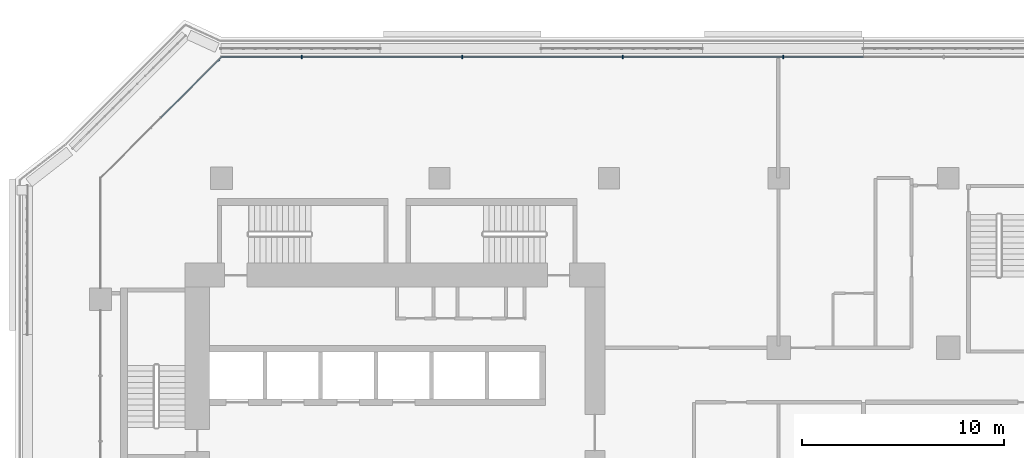
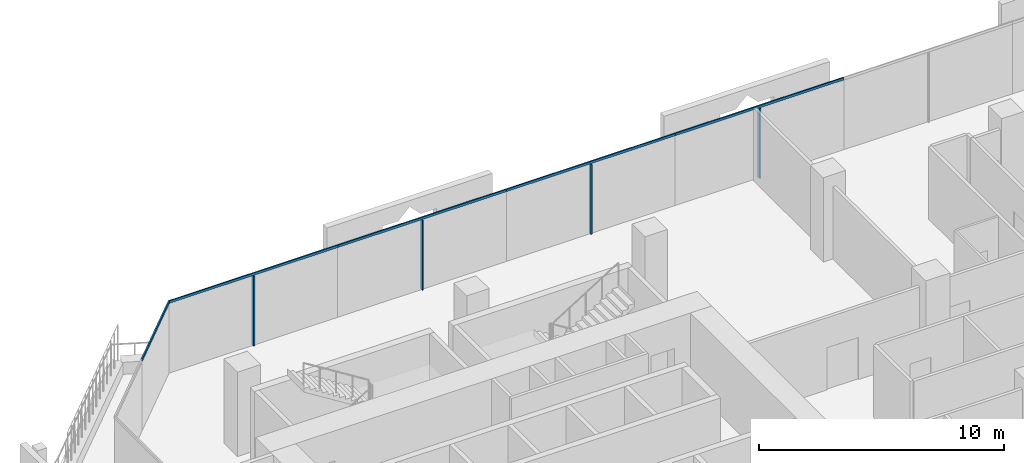
# One storey, part 8 of 25: 9 members, 2 elements without a shape of their own.
"""IFC4 building model written with IfcOpenShell, lengths in metres."""

from ifc_helpers import new_model, si_unit, direction, frame, origin, origin_2d, place, context, subcontext, project, spatial, rectangle, extrude, material, layer, layer_set, material_profile, profile_set, type_object, element, aggregate, save


model = new_model("IFC4")

# Units and contexts
model_context = context("Model", 3, precision=1e-05, world=origin(), true_north=direction((0.0, 1.0)))
body_context = subcontext(model_context, "Body", "Model", "MODEL_VIEW")
ifc_project = project(units=[si_unit("LENGTHUNIT", "METRE"), si_unit("AREAUNIT", "SQUARE_METRE"), si_unit("VOLUMEUNIT", "CUBIC_METRE"), si_unit("PLANEANGLEUNIT", "RADIAN"), si_unit("MASSUNIT", "GRAM", prefix="KILO")], contexts=[model_context])

# Site, building, storey
site_placement = place(None, origin())
site = spatial("IfcSite", under=ifc_project, at=site_placement, CompositionType="ELEMENT")
building_placement = place(site_placement, origin())
building = spatial("IfcBuilding", under=site, at=building_placement, Name="Kawkab Arch Medical Tower", CompositionType="ELEMENT")
storey_placement = place(building_placement, frame((0.0, 0.0, 128.199951171875)))
storey = spatial("IfcBuildingStorey", under=building, at=storey_placement, Name="L29", CompositionType="ELEMENT", Elevation=128.199951171875)

# Curtain wall, members
ifc_material_1 = material(Name="Bronze anodised aluminium curtain wall frame", Category="aluminium")
ifc_layer_1 = layer(ifc_material_1, 0.159912109375)
ifc_layer_set_1 = layer_set([ifc_layer_1], Name="Bronze anodised aluminium curtain wall frame")
curtain_wall_type_1 = type_object("IfcCurtainWallType", Name="CW1 ward curtain wall", PredefinedType="NOTDEFINED", material=ifc_layer_set_1)
placement = place(storey_placement, origin())
curtain_wall_1 = element("IfcCurtainWall", 1, at=placement, inside=storey, type_object=curtain_wall_type_1, Name="CW1 Ward curtain wall R11", PredefinedType="NOTDEFINED")
ifc_material_2 = material(Name="Bronze anodised aluminium curtain wall frame", Category="aluminium")
ifc_material_profile_1 = material_profile(ifc_material_2, rectangle(XDim=0.179931640625, YDim=0.06005859375, at=origin_2d()), Name="AL 60x180")
ifc_profile_set_1 = profile_set([ifc_material_profile_1], Name="Bronze anodised aluminium curtain wall frame")
member_type_1 = type_object("IfcMemberType", Name="CW1 mullion 60 x 180", PredefinedType="MULLION", material=ifc_profile_set_1)
member_1_placement = place(storey_placement, frame((33.824951171875, 6.0, 0.0), z_axis=(0.0, 0.0, 1.0), x_axis=(0.0, -1.0, 0.0)))
member_1 = element("IfcMember", 2, at=member_1_placement, type_object=member_type_1, Name="CW1 mullion 5.1", PredefinedType="MULLION", context=body_context, shape_type="SweptSolid", body=[
    extrude(rectangle(XDim=0.179931640625, YDim=0.06005859375, at=origin_2d()), origin(), (0.0, 0.0, 1.0), 3.47998046875),
])
member_2_placement = place(storey_placement, frame((25.875, 6.0, 0.0), z_axis=(0.0, 0.0, 1.0), x_axis=(0.0, -1.0, 0.0)))
member_2 = element("IfcMember", 3, at=member_2_placement, type_object=member_type_1, Name="CW1 mullion 6.1", PredefinedType="MULLION", context=body_context, shape_type="SweptSolid", body=[
    extrude(rectangle(XDim=0.179931640625, YDim=0.06005859375, at=origin_2d()), origin(), (0.0, 0.0, 1.0), 3.47998046875),
])
member_3_placement = place(storey_placement, frame((17.925048828125, 6.0, 0.0), z_axis=(0.0, 0.0, 1.0), x_axis=(0.0, -1.0, 0.0)))
member_3 = element("IfcMember", 4, at=member_3_placement, type_object=member_type_1, Name="CW1 mullion 7.1", PredefinedType="MULLION", context=body_context, shape_type="SweptSolid", body=[
    extrude(rectangle(XDim=0.179931640625, YDim=0.06005859375, at=origin_2d()), origin(), (0.0, 0.0, 1.0), 3.47998046875),
])
member_4_placement = place(storey_placement, frame((9.97509765625, 6.0, 0.0), z_axis=(0.0, 0.0, 1.0), x_axis=(0.0, -1.0, 0.0)))
member_4 = element("IfcMember", 5, at=member_4_placement, type_object=member_type_1, Name="CW1 mullion 8.1", PredefinedType="MULLION", context=body_context, shape_type="SweptSolid", body=[
    extrude(rectangle(XDim=0.179931640625, YDim=0.06005859375, at=origin_2d()), origin(), (0.0, 0.0, 1.0), 3.47998046875),
])
ifc_material_3 = material(Name="Bronze anodised aluminium curtain wall frame", Category="aluminium")
ifc_material_profile_2 = material_profile(ifc_material_3, rectangle(XDim=0.06005859375, YDim=0.1201171875, at=origin_2d()), Name="AL 60x120")
ifc_profile_set_2 = profile_set([ifc_material_profile_2], Name="Bronze anodised aluminium curtain wall frame")
member_type_2 = type_object("IfcMemberType", Name="CW1 transom 120 x 60", PredefinedType="USERDEFINED", material=ifc_profile_set_2)
member_5_placement = place(storey_placement, frame((37.800048828125, 6.0, 3.5400390625), z_axis=(-1.0, 0.0, 0.0), x_axis=(0.0, -1.0, 0.0)))
member_5 = element("IfcMember", 6, at=member_5_placement, type_object=member_type_2, Name="CW1 transom 5", ObjectType="TRANSOM", PredefinedType="USERDEFINED", context=body_context, shape_type="SweptSolid", body=[
    extrude(rectangle(XDim=0.06005859375, YDim=0.1201171875, at=origin_2d()), origin(), (0.0, 0.0, 1.0), 7.949951171875),
])
member_6_placement = place(storey_placement, frame((29.85009765625, 6.0, 3.5400390625), z_axis=(-1.0, 0.0, 0.0), x_axis=(0.0, -1.0, 0.0)))
member_6 = element("IfcMember", 7, at=member_6_placement, type_object=member_type_2, Name="CW1 transom 6", ObjectType="TRANSOM", PredefinedType="USERDEFINED", context=body_context, shape_type="SweptSolid", body=[
    extrude(rectangle(XDim=0.06005859375, YDim=0.1201171875, at=origin_2d()), origin(), (0.0, 0.0, 1.0), 7.9501953125),
])
member_7_placement = place(storey_placement, frame((21.89990234375, 6.0, 3.5400390625), z_axis=(-1.0, 0.0, 0.0), x_axis=(0.0, -1.0, 0.0)))
member_7 = element("IfcMember", 8, at=member_7_placement, type_object=member_type_2, Name="CW1 transom 7", ObjectType="TRANSOM", PredefinedType="USERDEFINED", context=body_context, shape_type="SweptSolid", body=[
    extrude(rectangle(XDim=0.06005859375, YDim=0.1201171875, at=origin_2d()), origin(), (0.0, 0.0, 1.0), 7.949951171875),
])
member_8_placement = place(storey_placement, frame((13.949951171875, 6.0, 3.5400390625), z_axis=(-1.0, 0.0, 0.0), x_axis=(0.0, -1.0, 0.0)))
member_8 = element("IfcMember", 9, at=member_8_placement, type_object=member_type_2, Name="CW1 transom 8", ObjectType="TRANSOM", PredefinedType="USERDEFINED", context=body_context, shape_type="SweptSolid", body=[
    extrude(rectangle(XDim=0.06005859375, YDim=0.1201171875, at=origin_2d()), origin(), (0.0, 0.0, 1.0), 7.949951171875),
])
aggregate(curtain_wall_1, [member_5, member_1, member_6, member_2, member_7, member_3, member_8, member_4])

# Curtain wall, member
ifc_material_4 = material(Name="Bronze anodised aluminium curtain wall frame", Category="aluminium")
ifc_layer_2 = layer(ifc_material_4, 0.159912109375)
ifc_layer_set_2 = layer_set([ifc_layer_2], Name="Bronze anodised aluminium curtain wall frame")
curtain_wall_type_2 = type_object("IfcCurtainWallType", Name="CW2 chamfer curtain wall", PredefinedType="NOTDEFINED", material=ifc_layer_set_2)
curtain_wall_2 = element("IfcCurtainWall", 10, at=placement, inside=storey, type_object=curtain_wall_type_2, Name="CW2 Chamfer curtain wall R12", PredefinedType="NOTDEFINED")
ifc_material_5 = material(Name="Bronze anodised aluminium curtain wall frame", Category="aluminium")
ifc_material_profile_3 = material_profile(ifc_material_5, rectangle(XDim=0.06005859375, YDim=0.139892578125, at=origin_2d()), Name="AL 60x140")
ifc_profile_set_3 = profile_set([ifc_material_profile_3], Name="Bronze anodised aluminium curtain wall frame")
member_type_3 = type_object("IfcMemberType", Name="CW2 transom 140 x 60", PredefinedType="USERDEFINED", material=ifc_profile_set_3)
member_9_placement = place(storey_placement, frame((6.0, 6.0, 3.530029296875), z_axis=(-0.707106781187, -0.707106781187, 0.0), x_axis=(0.707106781187, -0.707106781187, 0.0)))
member_9 = element("IfcMember", 11, at=member_9_placement, type_object=member_type_3, Name="CW2 transom 1", ObjectType="TRANSOM", PredefinedType="USERDEFINED", context=body_context, shape_type="SweptSolid", body=[
    extrude(rectangle(XDim=0.06005859375, YDim=0.139892578125, at=origin_2d()), origin(), (0.0, 0.0, 1.0), 4.24267578125),
])
aggregate(curtain_wall_2, [member_9])

save(model, "model.ifc")
